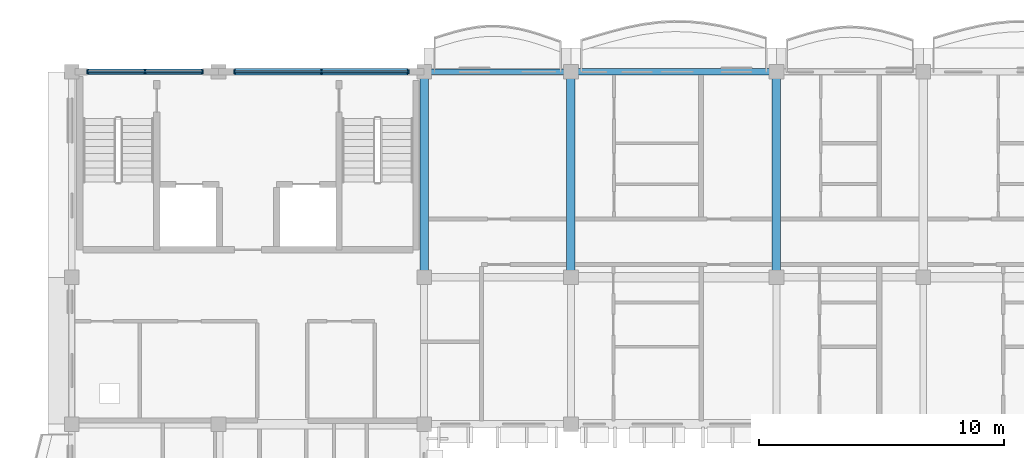
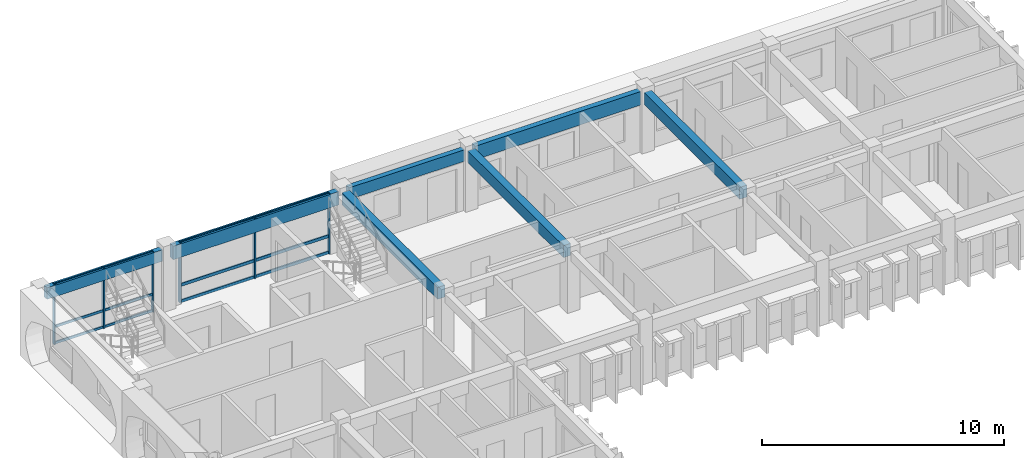
# One storey, part 5 of 45: 12 members, 7 beams, 2 elements without a shape of their own.
"""IFC4 building model written with IfcOpenShell, lengths in metres."""

from ifc_helpers import new_model, si_unit, direction, frame, origin, origin_2d, place, context, subcontext, project, spatial, rectangle, extrude, material, material_profile, profile_set, type_object, element, aggregate, save


model = new_model("IFC4")

# Units and contexts
model_context = context("Model", 3, precision=1e-05, world=origin(), true_north=direction((0.0, 1.0)))
body_context = subcontext(model_context, "Body", "Model", "MODEL_VIEW")
ifc_project = project(units=[si_unit("LENGTHUNIT", "METRE"), si_unit("AREAUNIT", "SQUARE_METRE"), si_unit("VOLUMEUNIT", "CUBIC_METRE"), si_unit("PLANEANGLEUNIT", "RADIAN"), si_unit("MASSUNIT", "GRAM", prefix="KILO"), si_unit("THERMODYNAMICTEMPERATUREUNIT", "KELVIN")], contexts=[model_context])

# Site, building, storey
site_placement = place(None, origin())
site = spatial("IfcSite", under=ifc_project, at=site_placement, CompositionType="ELEMENT")
building_placement = place(site_placement, origin())
building = spatial("IfcBuilding", under=site, at=building_placement, Name="Thalorik Housing Commons", CompositionType="ELEMENT")
storey_placement = place(building_placement, frame((0.0, 0.0, 34.5)))
storey = spatial("IfcBuildingStorey", under=building, at=storey_placement, Name="L10", CompositionType="ELEMENT", Elevation=34.5)

# Curtain wall, members
ifc_material_1 = material(Name="Anodised aluminium and solar-control low-E glass", Category="aluminium")
curtain_wall_type = type_object("IfcCurtainWallType", Name="ARC-CW-CORE", PredefinedType="USERDEFINED", material=ifc_material_1)
curtain_wall_1_placement = place(storey_placement, origin())
curtain_wall_1 = element("IfcCurtainWall", 1, at=curtain_wall_1_placement, inside=storey, type_object=curtain_wall_type, Name="L10 Curtain Wall CW-CORE-L10-A-046", ObjectType="CURTAIN WALL", PredefinedType="USERDEFINED")
ifc_material_2 = material(Name="Anodised aluminium 6063-T6", Category="aluminium")
ifc_material_profile_1 = material_profile(ifc_material_2, rectangle(XDim=0.06005859375, YDim=0.159912109375, at=origin_2d()), Name="ALU MUL 60x160", Category="aluminium")
ifc_profile_set_1 = profile_set([ifc_material_profile_1], Name="Anodised aluminium 6063-T6")
member_type_1 = type_object("IfcMemberType", Name="ARC-CW-MUL-60x160", PredefinedType="MULLION", material=ifc_profile_set_1)
member_1_placement = place(storey_placement, frame((13.75, 123.60009765625, 0.0), z_axis=(0.0, 0.0, 1.0), x_axis=(-1.0, 0.0, 0.0)))
member_1 = element("IfcMember", 2, at=member_1_placement, type_object=member_type_1, Name="CW-CORE-L10-A-046 Mullion 1", PredefinedType="MULLION", context=body_context, shape_type="SweptSolid", body=[
    extrude(rectangle(XDim=0.06005859375, YDim=0.159912109375, at=origin_2d()), origin(), (0.0, 0.0, 1.0), 3.0400390625),
])
member_2_placement = place(storey_placement, frame((11.39990234375, 123.60009765625, 0.0), z_axis=(0.0, 0.0, 1.0), x_axis=(-1.0, 0.0, 0.0)))
member_2 = element("IfcMember", 3, at=member_2_placement, type_object=member_type_1, Name="CW-CORE-L10-A-046 Mullion 2", PredefinedType="MULLION", context=body_context, shape_type="SweptSolid", body=[
    extrude(rectangle(XDim=0.06005859375, YDim=0.159912109375, at=origin_2d()), origin(), (0.0, 0.0, 1.0), 3.0400390625),
])
member_3_placement = place(storey_placement, frame((9.050048828125, 123.60009765625, 0.0), z_axis=(0.0, 0.0, 1.0), x_axis=(-1.0, 0.0, 0.0)))
member_3 = element("IfcMember", 4, at=member_3_placement, type_object=member_type_1, Name="CW-CORE-L10-A-046 Mullion 3", PredefinedType="MULLION", context=body_context, shape_type="SweptSolid", body=[
    extrude(rectangle(XDim=0.06005859375, YDim=0.159912109375, at=origin_2d()), origin(), (0.0, 0.0, 1.0), 3.0400390625),
])

curtain_wall_2_placement = place(storey_placement, origin())
curtain_wall_2 = element("IfcCurtainWall", 5, at=curtain_wall_2_placement, inside=storey, type_object=curtain_wall_type, Name="L10 Curtain Wall CW-CORE-L10-A-045", ObjectType="CURTAIN WALL", PredefinedType="USERDEFINED")
ifc_material_profile_2 = material_profile(ifc_material_2, rectangle(XDim=0.06494140625, YDim=0.179931640625, at=origin_2d()), Name="ALU MUL 65x180", Category="aluminium")
ifc_profile_set_2 = profile_set([ifc_material_profile_2], Name="Anodised aluminium 6063-T6")
member_type_2 = type_object("IfcMemberType", Name="ARC-CW-MUL-65x180", PredefinedType="MULLION", material=ifc_profile_set_2)
member_4_placement = place(storey_placement, frame((22.14990234375, 123.60009765625, 0.0), z_axis=(0.0, 0.0, 1.0), x_axis=(-1.0, 0.0, 0.0)))
member_4 = element("IfcMember", 6, at=member_4_placement, type_object=member_type_2, Name="CW-CORE-L10-A-045 Mullion 1", PredefinedType="MULLION", context=body_context, shape_type="SweptSolid", body=[
    extrude(rectangle(XDim=0.06494140625, YDim=0.179931640625, at=origin_2d()), origin(), (0.0, 0.0, 1.0), 3.0400390625),
])
member_5_placement = place(storey_placement, frame((18.60009765625, 123.60009765625, 0.0), z_axis=(0.0, 0.0, 1.0), x_axis=(-1.0, 0.0, 0.0)))
member_5 = element("IfcMember", 7, at=member_5_placement, type_object=member_type_2, Name="CW-CORE-L10-A-045 Mullion 2", PredefinedType="MULLION", context=body_context, shape_type="SweptSolid", body=[
    extrude(rectangle(XDim=0.06494140625, YDim=0.179931640625, at=origin_2d()), origin(), (0.0, 0.0, 1.0), 3.0400390625),
])
member_6_placement = place(storey_placement, frame((15.050048828125, 123.60009765625, 0.0), z_axis=(0.0, 0.0, 1.0), x_axis=(-1.0, 0.0, 0.0)))
member_6 = element("IfcMember", 8, at=member_6_placement, type_object=member_type_2, Name="CW-CORE-L10-A-045 Mullion 3", PredefinedType="MULLION", context=body_context, shape_type="SweptSolid", body=[
    extrude(rectangle(XDim=0.06494140625, YDim=0.179931640625, at=origin_2d()), origin(), (0.0, 0.0, 1.0), 3.0400390625),
])

# Member
ifc_material_profile_3 = material_profile(ifc_material_2, rectangle(XDim=0.06005859375, YDim=0.1201171875, at=origin_2d()), Name="ALU TRN 60x120", Category="aluminium")
ifc_profile_set_3 = profile_set([ifc_material_profile_3], Name="Anodised aluminium 6063-T6")
member_type_3 = type_object("IfcMemberType", Name="ARC-CW-TRN-60x120", PredefinedType="USERDEFINED", material=ifc_profile_set_3)
member_7_placement = place(storey_placement, frame((13.75, 123.60009765625, 0.054931640625), z_axis=(-1.0, 0.0, 0.0), x_axis=(0.0, -1.0, 0.0)))
member_7 = element("IfcMember", 9, at=member_7_placement, type_object=member_type_3, Name="CW-CORE-L10-A-046 Transom 1", ObjectType="TRANSOM", PredefinedType="USERDEFINED", context=body_context, shape_type="SweptSolid", body=[
    extrude(rectangle(XDim=0.06005859375, YDim=0.1201171875, at=origin_2d()), origin(), (0.0, 0.0, 1.0), 4.699951171875),
])

member_8_placement = place(storey_placement, frame((13.75, 123.60009765625, 0.8798828125), z_axis=(-1.0, 0.0, 0.0), x_axis=(0.0, -1.0, 0.0)))
member_8 = element("IfcMember", 10, at=member_8_placement, type_object=member_type_3, Name="CW-CORE-L10-A-046 Transom 2", ObjectType="TRANSOM", PredefinedType="USERDEFINED", context=body_context, shape_type="SweptSolid", body=[
    extrude(rectangle(XDim=0.06005859375, YDim=0.1201171875, at=origin_2d()), origin(), (0.0, 0.0, 1.0), 4.699951171875),
])

member_9_placement = place(storey_placement, frame((13.75, 123.60009765625, 2.985107421875), z_axis=(-1.0, 0.0, 0.0), x_axis=(0.0, -1.0, 0.0)))
member_9 = element("IfcMember", 11, at=member_9_placement, type_object=member_type_3, Name="CW-CORE-L10-A-046 Transom 3", ObjectType="TRANSOM", PredefinedType="USERDEFINED", context=body_context, shape_type="SweptSolid", body=[
    extrude(rectangle(XDim=0.06005859375, YDim=0.1201171875, at=origin_2d()), origin(), (0.0, 0.0, 1.0), 4.699951171875),
])

aggregate(curtain_wall_1, [member_1, member_2, member_3, member_7, member_8, member_9])

ifc_material_profile_4 = material_profile(ifc_material_2, rectangle(XDim=0.06494140625, YDim=0.14990234375, at=origin_2d()), Name="ALU TRN 65x150", Category="aluminium")
ifc_profile_set_4 = profile_set([ifc_material_profile_4], Name="Anodised aluminium 6063-T6")
member_type_4 = type_object("IfcMemberType", Name="ARC-CW-TRN-65x150", PredefinedType="USERDEFINED", material=ifc_profile_set_4)
member_10_placement = place(storey_placement, frame((22.14990234375, 123.60009765625, 0.054931640625), z_axis=(-1.0, 0.0, 0.0), x_axis=(0.0, -1.0, 0.0)))
member_10 = element("IfcMember", 12, at=member_10_placement, type_object=member_type_4, Name="CW-CORE-L10-A-045 Transom 1", ObjectType="TRANSOM", PredefinedType="USERDEFINED", context=body_context, shape_type="SweptSolid", body=[
    extrude(rectangle(XDim=0.06494140625, YDim=0.14990234375, at=origin_2d()), origin(), (0.0, 0.0, 1.0), 7.099853515625),
])

member_11_placement = place(storey_placement, frame((22.14990234375, 123.60009765625, 0.8798828125), z_axis=(-1.0, 0.0, 0.0), x_axis=(0.0, -1.0, 0.0)))
member_11 = element("IfcMember", 13, at=member_11_placement, type_object=member_type_4, Name="CW-CORE-L10-A-045 Transom 2", ObjectType="TRANSOM", PredefinedType="USERDEFINED", context=body_context, shape_type="SweptSolid", body=[
    extrude(rectangle(XDim=0.06494140625, YDim=0.14990234375, at=origin_2d()), origin(), (0.0, 0.0, 1.0), 7.099853515625),
])

member_12_placement = place(storey_placement, frame((22.14990234375, 123.60009765625, 2.985107421875), z_axis=(-1.0, 0.0, 0.0), x_axis=(0.0, -1.0, 0.0)))
member_12 = element("IfcMember", 14, at=member_12_placement, type_object=member_type_4, Name="CW-CORE-L10-A-045 Transom 3", ObjectType="TRANSOM", PredefinedType="USERDEFINED", context=body_context, shape_type="SweptSolid", body=[
    extrude(rectangle(XDim=0.06494140625, YDim=0.14990234375, at=origin_2d()), origin(), (0.0, 0.0, 1.0), 7.099853515625),
])

aggregate(curtain_wall_2, [member_4, member_5, member_6, member_10, member_11, member_12])

# Beams
ifc_material_3 = material(Name="Precast concrete C40/50", Category="concrete")
ifc_material_profile_5 = material_profile(ifc_material_3, rectangle(XDim=0.35009765625, YDim=0.60009765625, at=origin_2d()), Name="PC 350x600", Category="concrete")
ifc_profile_set_5 = profile_set([ifc_material_profile_5], Name="Precast concrete C40/50")
beam_type_1 = type_object("IfcBeamType", Name="STR-BM-PC350x600", PredefinedType="BEAM", material=ifc_profile_set_5)
for number, where, z_axis, x_axis, name in (
    (15, (22.800048828125, 115.449951171875, 2.739990234375), (0.0, 1.0, 0.0), (-1.0, 0.0, 0.0), "L10 Beam B-600"),
    (16, (28.800048828125, 115.449951171875, 2.739990234375), (0.0, 1.0, 0.0), (-1.0, 0.0, 0.0), "L10 Beam B-600"),
    (17, (37.199951171875, 115.449951171875, 2.739990234375), (0.0, 1.0, 0.0), (-1.0, 0.0, 0.0), "L10 Beam B-600"),
):
    element("IfcBeam", number, at=place(storey_placement, frame(where, z_axis=z_axis, x_axis=x_axis)), inside=storey, type_object=beam_type_1, Name=name, PredefinedType="BEAM", context=body_context, shape_type="SweptSolid", body=[
        extrude(rectangle(XDim=0.35009765625, YDim=0.60009765625, at=origin_2d()), origin(), (0.0, 0.0, 1.0), 7.900146484375),
    ])
ifc_material_profile_6 = material_profile(ifc_material_3, rectangle(XDim=0.239990234375, YDim=0.580078125, at=origin_2d()), Name="PC SP 240x580", Category="concrete")
ifc_profile_set_6 = profile_set([ifc_material_profile_6], Name="Precast concrete C40/50")
beam_type_2 = type_object("IfcBeamType", Name="STR-SP-PC240x580", PredefinedType="SPANDREL", material=ifc_profile_set_6)
for number, where, z_axis, x_axis, name in (
    (18, (8.64990234375, 123.60009765625, 2.75), (1.0, 0.0, 0.0), (0.0, 1.0, 0.0), "L10 Beam B-500"),
    (19, (23.050048828125, 123.60009765625, 2.75), (1.0, 0.0, 0.0), (0.0, 1.0, 0.0), "L10 Beam B-500"),
):
    element("IfcBeam", number, at=place(storey_placement, frame(where, z_axis=z_axis, x_axis=x_axis)), inside=storey, type_object=beam_type_2, Name=name, PredefinedType="SPANDREL", context=body_context, shape_type="SweptSolid", body=[
        extrude(rectangle(XDim=0.239990234375, YDim=0.580078125, at=origin_2d()), origin(), (0.0, 0.0, 1.0), 5.5),
    ])
ifc_material_profile_7 = material_profile(ifc_material_3, rectangle(XDim=0.260009765625, YDim=0.679931640625, at=origin_2d()), Name="PC SP 260x680", Category="concrete")
ifc_profile_set_7 = profile_set([ifc_material_profile_7], Name="Precast concrete C40/50")
beam_type_3 = type_object("IfcBeamType", Name="STR-SP-PC260x680", PredefinedType="SPANDREL", material=ifc_profile_set_7)
beam_1_placement = place(storey_placement, frame((14.64990234375, 123.60009765625, 2.699951171875), z_axis=(1.0, 0.0, 0.0), x_axis=(0.0, 1.0, 0.0)))
element("IfcBeam", 20, at=beam_1_placement, inside=storey, type_object=beam_type_3, Name="L10 Beam B-650", PredefinedType="SPANDREL", context=body_context, shape_type="SweptSolid", body=[
    extrude(rectangle(XDim=0.260009765625, YDim=0.679931640625, at=origin_2d()), origin(), (0.0, 0.0, 1.0), 7.900146484375),
])
beam_2_placement = place(storey_placement, frame((29.050048828125, 123.60009765625, 2.699951171875), z_axis=(1.0, 0.0, 0.0), x_axis=(0.0, 1.0, 0.0)))
element("IfcBeam", 21, at=beam_2_placement, inside=storey, type_object=beam_type_3, Name="L10 Beam B-650", PredefinedType="SPANDREL", context=body_context, shape_type="SweptSolid", body=[
    extrude(rectangle(XDim=0.260009765625, YDim=0.679931640625, at=origin_2d()), origin(), (0.0, 0.0, 1.0), 7.89990234375),
])

save(model, "model.ifc")
